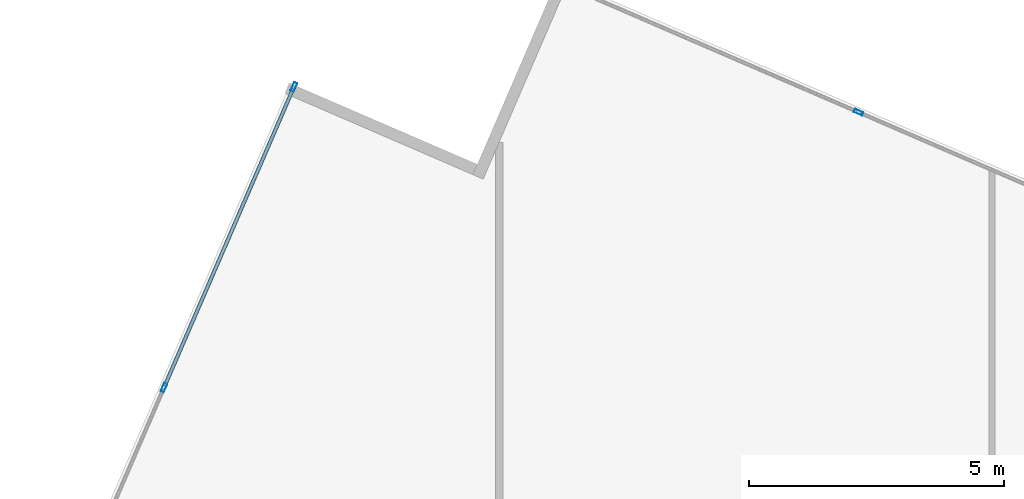
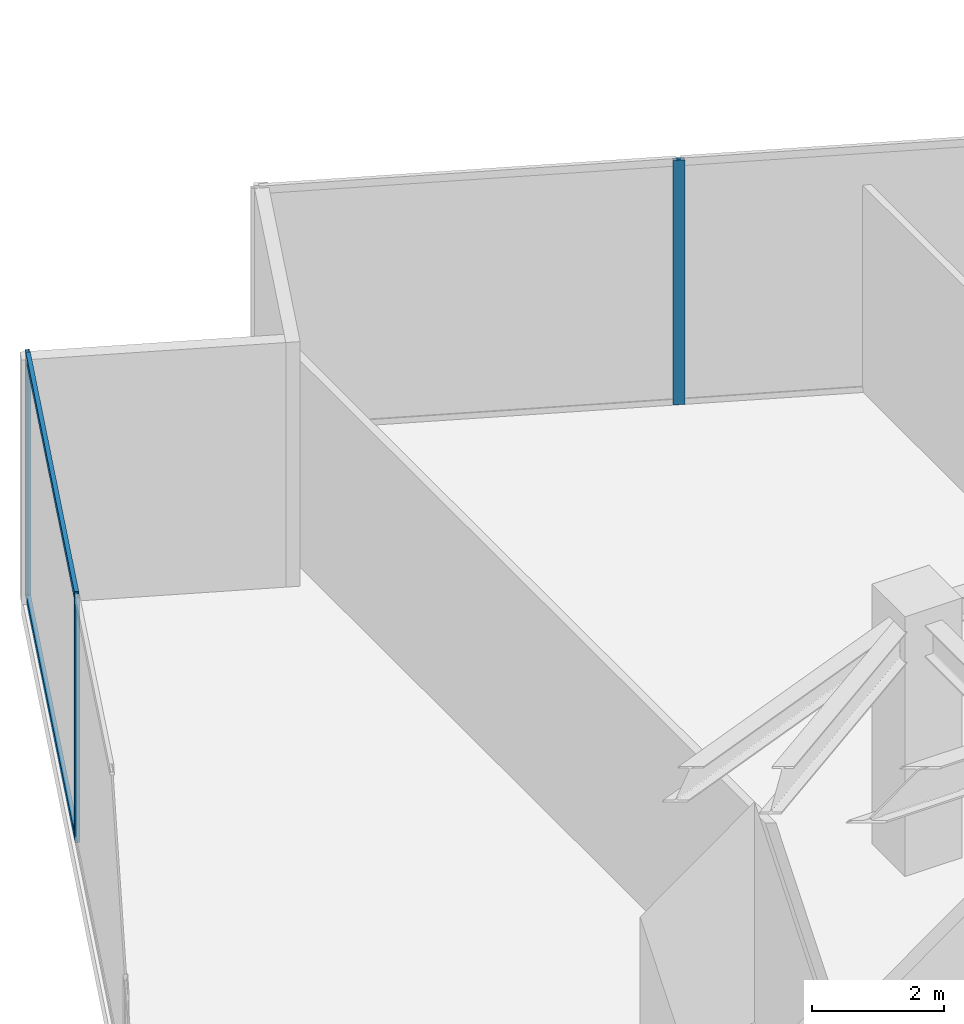
# One storey, part 14 of 24: 5 members, 2 elements without a shape of their own.
"""IFC4 building model written with IfcOpenShell, lengths in metres."""

from ifc_helpers import new_model, si_unit, direction, frame, origin, origin_2d, place, context, subcontext, project, spatial, hollow_rectangle, extrude, source, transform, mapped, material, material_profile, profile_set, type_object, type_shapes, element, aggregate, save


model = new_model("IFC4")

# Units and contexts
model_context = context("Model", 3, precision=1e-05, world=origin(), true_north=direction((0.0, 1.0)))
body_context = subcontext(model_context, "Body", "Model", "MODEL_VIEW")
ifc_project = project(units=[si_unit("LENGTHUNIT", "METRE"), si_unit("AREAUNIT", "SQUARE_METRE"), si_unit("VOLUMEUNIT", "CUBIC_METRE"), si_unit("PLANEANGLEUNIT", "RADIAN"), si_unit("MASSUNIT", "GRAM", prefix="KILO")], contexts=[model_context])

# Site, building, storey
site_placement = place(None, origin())
site = spatial("IfcSite", under=ifc_project, at=site_placement, CompositionType="ELEMENT")
building_placement = place(site_placement, origin())
building = spatial("IfcBuilding", under=site, at=building_placement, Name="Krantzveldt Concourse Tower", CompositionType="ELEMENT")
storey_placement = place(building_placement, frame((0.0, 0.0, 141.39990234375)))
storey = spatial("IfcBuildingStorey", under=building, at=storey_placement, Name="L34", CompositionType="ELEMENT", Elevation=141.39990234375)

# Curtain wall, members
ifc_material = material(Name="Anodised aluminium 6063-T6", Category="aluminium")
curtain_wall_type = type_object("IfcCurtainWallType", Name="CW5", PredefinedType="USERDEFINED", material=ifc_material)
curtain_wall_1_placement = place(storey_placement, origin())
curtain_wall_1 = element("IfcCurtainWall", 1, at=curtain_wall_1_placement, inside=storey, type_object=curtain_wall_type, Name="CW-L34-F01", ObjectType="UNITISED CURTAIN WALL", PredefinedType="USERDEFINED")
ifc_material_profile_1 = material_profile(ifc_material, hollow_rectangle(XDim=0.070068359375, YDim=0.139892578125, WallThickness=0.0048828125, at=origin_2d()), Name="Anodised aluminium 6063-T6", Category="aluminium")
ifc_profile_set_1 = profile_set([ifc_material_profile_1], Name="Anodised aluminium 6063-T6 - ALU-TRAN 140x70x5")
member_type_1 = type_object("IfcMemberType", Name="CW-TRN-150", PredefinedType="USERDEFINED", material=ifc_profile_set_1)
shared_shape_1 = source(origin(), body_context, "Body", "SweptSolid", [
    extrude(hollow_rectangle(XDim=0.070068359375, YDim=0.139892578125, WallThickness=0.0048828125, at=origin_2d()), origin(), (0.0, 0.0, 1.0), 6.361572265625),
])
type_shapes(member_type_1, [shared_shape_1])
member_1_placement = place(storey_placement, frame((22.272216796875, 53.691650390625, 0.03515625), z_axis=(-0.396752106158, -0.917925795617, 0.0), x_axis=(0.917925795617, -0.396752106158, 0.0)))
member_1 = element("IfcMember", 2, at=member_1_placement, type_object=member_type_1, Name="CW-SKY transom 1.1", ObjectType="TRANSOM", PredefinedType="USERDEFINED", context=body_context, shape_type="MappedRepresentation", body=[
    mapped(shared_shape_1, transform((0.0, 0.0, 0.0), x_axis=(1.0, 0.0, 0.0), y_axis=(0.0, 1.0, 0.0), z_axis=(0.0, 0.0, 1.0), scale=1.0)),
])
member_2_placement = place(storey_placement, frame((22.272216796875, 53.691650390625, 4.485107421875), z_axis=(-0.396752106158, -0.917925795617, 0.0), x_axis=(0.917925795617, -0.396752106158, 0.0)))
member_2 = element("IfcMember", 3, at=member_2_placement, type_object=member_type_1, Name="CW-SKY transom 1.2", ObjectType="TRANSOM", PredefinedType="USERDEFINED", context=body_context, shape_type="MappedRepresentation", body=[
    mapped(shared_shape_1, transform((0.0, 0.0, 0.0), x_axis=(1.0, 0.0, 0.0), y_axis=(0.0, 1.0, 0.0), z_axis=(0.0, 0.0, 1.0), scale=1.0)),
])
ifc_material_profile_2 = material_profile(ifc_material, hollow_rectangle(XDim=0.070068359375, YDim=0.179931640625, WallThickness=0.0048828125, at=origin_2d()), Name="Anodised aluminium 6063-T6", Category="aluminium")
ifc_profile_set_2 = profile_set([ifc_material_profile_2], Name="Anodised aluminium 6063-T6 - ALU-MULL 180x70x5")
member_type_2 = type_object("IfcMemberType", Name="CW-MUL-180", PredefinedType="MULLION", material=ifc_profile_set_2)
shared_shape_2 = source(origin(), body_context, "Body", "SweptSolid", [
    extrude(hollow_rectangle(XDim=0.070068359375, YDim=0.179931640625, WallThickness=0.0048828125, at=origin_2d()), origin(), (0.0, 0.0, 1.0), 4.52001953125),
])
type_shapes(member_type_2, [shared_shape_2])
member_3_placement = place(storey_placement, frame((22.2861328125, 53.723876953125, 0.0), z_axis=(0.0, 0.0, 1.0), x_axis=(0.917927822306, -0.396747417177, 0.0)))
member_3 = element("IfcMember", 4, at=member_3_placement, type_object=member_type_2, Name="CW-SKY mullion 1", PredefinedType="MULLION", context=body_context, shape_type="MappedRepresentation", body=[
    mapped(shared_shape_2, transform((0.0, 0.0, 0.0), x_axis=(1.0, 0.0, 0.0), y_axis=(0.0, 1.0, 0.0), z_axis=(0.0, 0.0, 1.0), scale=1.0)),
])
member_4_placement = place(storey_placement, frame((19.734375, 47.820068359375, 0.0), z_axis=(0.0, 0.0, 1.0), x_axis=(0.917927822306, -0.396747417177, 0.0)))
member_4 = element("IfcMember", 5, at=member_4_placement, type_object=member_type_2, Name="CW-SKY mullion 2", PredefinedType="MULLION", context=body_context, shape_type="MappedRepresentation", body=[
    mapped(shared_shape_2, transform((0.0, 0.0, 0.0), x_axis=(1.0, 0.0, 0.0), y_axis=(0.0, 1.0, 0.0), z_axis=(0.0, 0.0, 1.0), scale=1.0)),
])
aggregate(curtain_wall_1, [member_3, member_4, member_1, member_2])

# Curtain wall, member
curtain_wall_2_placement = place(storey_placement, origin())
curtain_wall_2 = element("IfcCurtainWall", 6, at=curtain_wall_2_placement, inside=storey, type_object=curtain_wall_type, Name="CW-L34-F10", ObjectType="UNITISED CURTAIN WALL", PredefinedType="USERDEFINED")
member_5_placement = place(storey_placement, frame((33.376220703125, 53.228271484375, 0.0), z_axis=(0.0, 0.0, 1.0), x_axis=(-0.396747417177, -0.917927822306, 0.0)))
member_5 = element("IfcMember", 7, at=member_5_placement, type_object=member_type_2, Name="CW-SKY mullion 6", PredefinedType="MULLION", context=body_context, shape_type="MappedRepresentation", body=[
    mapped(shared_shape_2, transform((0.0, 0.0, 0.0), x_axis=(1.0, 0.0, 0.0), y_axis=(0.0, 1.0, 0.0), z_axis=(0.0, 0.0, 1.0), scale=1.0)),
])
aggregate(curtain_wall_2, [member_5])

save(model, "model.ifc")
